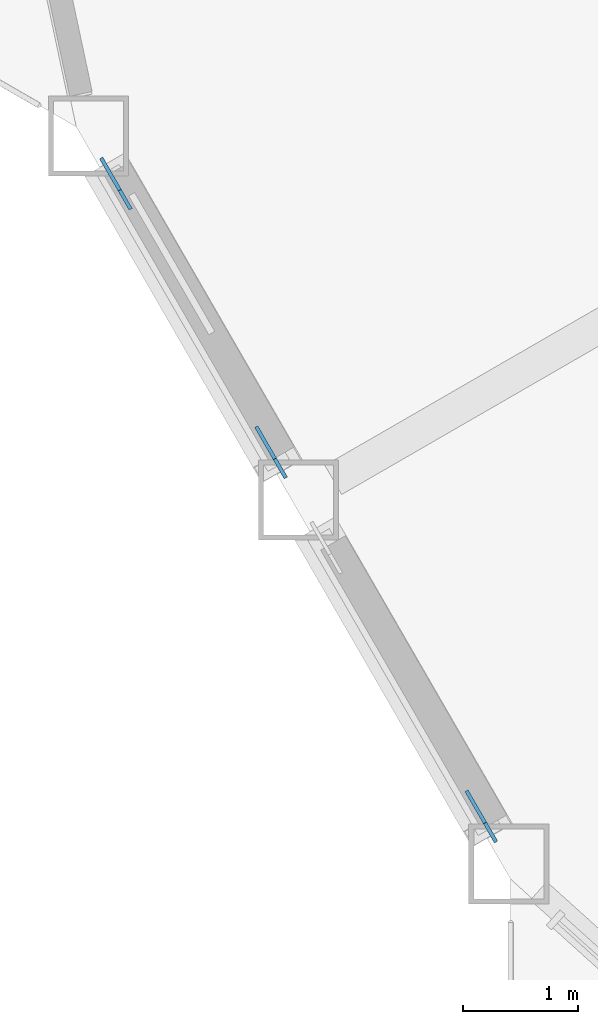
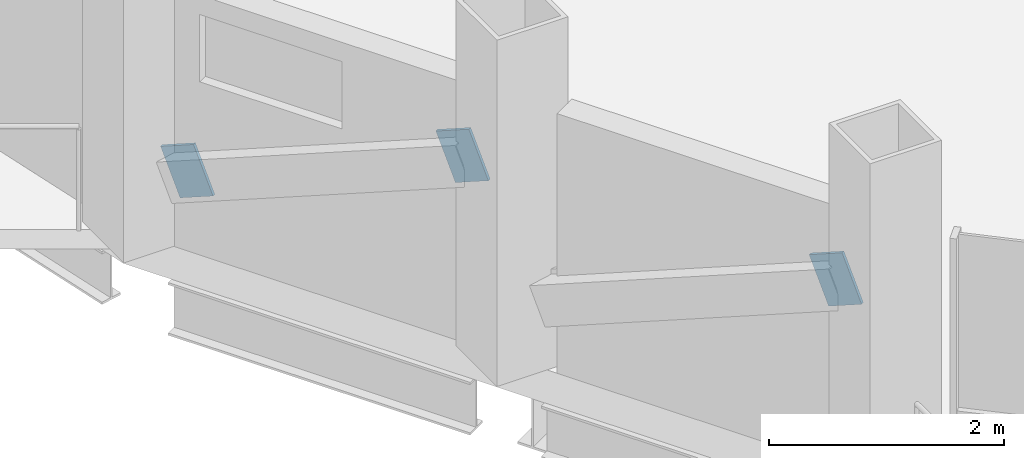
# One storey, part 16 of 24: 3 discrete accessories.
"""IFC4 building model written with IfcOpenShell, lengths in metres."""

from ifc_helpers import new_model, si_unit, direction, frame, origin, origin_2d, place, context, subcontext, project, spatial, rectangle, extrude, material, material_profile, profile_set, type_object, element, save


model = new_model("IFC4")

# Units and contexts
model_context = context("Model", 3, precision=1e-05, world=origin(), true_north=direction((0.0, 1.0)))
body_context = subcontext(model_context, "Body", "Model", "MODEL_VIEW")
ifc_project = project(units=[si_unit("LENGTHUNIT", "METRE"), si_unit("AREAUNIT", "SQUARE_METRE"), si_unit("VOLUMEUNIT", "CUBIC_METRE"), si_unit("PLANEANGLEUNIT", "RADIAN"), si_unit("MASSUNIT", "GRAM", prefix="KILO")], contexts=[model_context])

# Site, building, storey
site_placement = place(None, origin())
site = spatial("IfcSite", under=ifc_project, at=site_placement, CompositionType="ELEMENT")
building_placement = place(site_placement, origin())
building = spatial("IfcBuilding", under=site, at=building_placement, Name="Cormorant Prow Tower", CompositionType="ELEMENT")
storey_placement = place(building_placement, frame((0.0, 0.0, 270.60009765625)))
storey = spatial("IfcBuildingStorey", under=building, at=storey_placement, Name="L61", CompositionType="ELEMENT", Elevation=270.60009765625)

# Discrete accessories
ifc_material = material(Name="Structural steel ASTM A500 Gr C", Category="steel")
ifc_material_profile = material_profile(ifc_material, rectangle(XDim=0.031982421875, YDim=0.506103515625, at=origin_2d()), Name="Gusset plate 32x506")
ifc_profile_set = profile_set([ifc_material_profile], Name="Structural steel ASTM A500 Gr C")
discrete_accessory_type = type_object("IfcDiscreteAccessoryType", Name="Gusset plate 32x506", PredefinedType="BRACKET", material=ifc_profile_set)
discrete_accessory_placement = place(storey_placement, frame((-29.2900390625, -13.4150390625, 0.863037109375), z_axis=(-0.462538490196, 0.801593854051, -0.378821116405), x_axis=(-0.866147934042, -0.499787711288, 0.0)))
element("IfcDiscreteAccessory", 1, at=discrete_accessory_placement, inside=storey, type_object=discrete_accessory_type, Name="Gusset plate GP2 L61.WSW00.g0", PredefinedType="BRACKET", context=body_context, shape_type="SweptSolid", body=[
    extrude(rectangle(XDim=0.031982421875, YDim=0.506103515625, at=origin_2d()), origin(), (0.0, 0.0, 1.0), 0.349853515625),
])
for number, where, z_axis, x_axis, name in (
    (2, (-28.09814453125, -15.4794921875, 1.837646484375), (0.462827914709, -0.801584490837, 0.378487285673), (0.866010015463, 0.500026652407, 0.0), "Gusset plate GP2 L61.WSW00.g1"),
    (3, (-26.262939453125, -18.658203125, 1.837646484375), (0.462827914709, -0.801584490837, 0.378487285673), (0.866010015463, 0.500026652407, 0.0), "Gusset plate GP2 L61.WSW01.g1"),
):
    element("IfcDiscreteAccessory", number, at=place(storey_placement, frame(where, z_axis=z_axis, x_axis=x_axis)), inside=storey, type_object=discrete_accessory_type, Name=name, PredefinedType="BRACKET", context=body_context, shape_type="SweptSolid", body=[
        extrude(rectangle(XDim=0.031982421875, YDim=0.506103515625, at=origin_2d()), origin(), (0.0, 0.0, 1.0), 0.350341796875),
    ])

save(model, "model.ifc")
